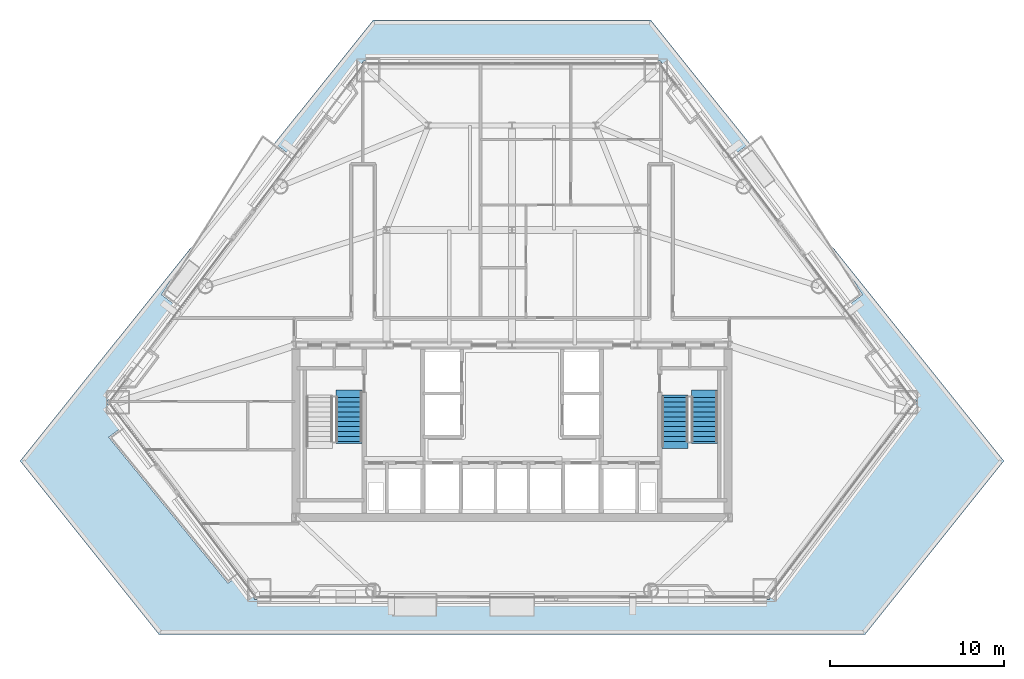
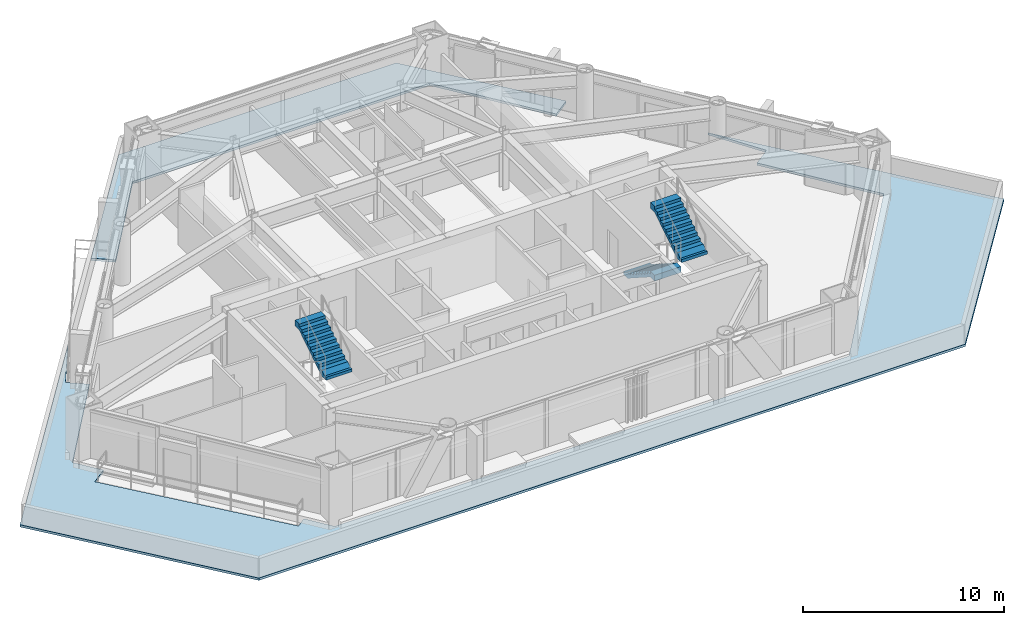
# One storey, part 10 of 13: 3 stair flights, 2 roofs, 2 elements without a shape of their own.
"""IFC4 building model written with IfcOpenShell, lengths in metres."""

import ifcopenshell
import ifcopenshell.guid

model = None  # the IFC model being written
_history = None  # IfcOwnerHistory: only IFC2X3 demands one
_inside = {}  # id of a spatial element -> (the spatial element, [elements in it])
_under = {}  # id of a project, library or spatial element -> (it, [spatial elements below it])
_declared = {}  # id of a project -> (the project, [libraries it declares])
_typed = {}  # id of a type object -> (the type object, [elements of that type])
_made_of = {}  # id of a material, layer set ... -> (it, [elements and type objects made of it])


def new_model(schema):
    """Start an empty IFC model of exactly this schema.

    Asked for "IFC4X3", IfcOpenShell would pick the latest addendum, in which some entities
    have other attributes; the version numbers below select the first issue.
    IFC2X3 requires an IfcOwnerHistory on every rooted entity: one is made here for all.
    """
    global model, _history
    if schema == "IFC4X3":
        model = ifcopenshell.file(schema_version=(4, 3, 0, 0))
    else:
        model = ifcopenshell.file(schema=schema)
    _inside.clear()
    _under.clear()
    _declared.clear()
    _typed.clear()
    _made_of.clear()
    _history = None
    if model.schema == "IFC2X3":
        org = make("IfcOrganization", Name="unknown")
        user = make(
            "IfcPersonAndOrganization",
            ThePerson=make("IfcPerson", FamilyName="unknown"),
            TheOrganization=org,
        )
        app = make(
            "IfcApplication",
            ApplicationDeveloper=org,
            Version="unknown",
            ApplicationFullName="unknown",
            ApplicationIdentifier="unknown",
        )
        _history = make(
            "IfcOwnerHistory",
            OwningUser=user,
            OwningApplication=app,
            ChangeAction="ADDED",
            CreationDate=0,
        )
    return model


def make(cls, **values):
    """One entity of the class cls with the attributes given. An attribute that is None is left unset."""
    return model.create_entity(
        cls, **{name: value for name, value in values.items() if value is not None}
    )


def rooted(cls, **values):
    """An entity with a GlobalId (a new one), such as an element, a storey or a relation."""
    return make(cls, GlobalId=ifcopenshell.guid.new(), OwnerHistory=_history, **values)


def si_unit(unit_type, name, prefix=None):
    """IfcSIUnit, for example si_unit("LENGTHUNIT", "METRE", prefix="MILLI")."""
    return make("IfcSIUnit", UnitType=unit_type, Prefix=prefix, Name=name)


def assignment(units):
    """IfcUnitAssignment: the units of a project."""
    return None if units is None else make("IfcUnitAssignment", Units=units)


def point(xyz):
    """IfcCartesianPoint."""
    return None if xyz is None else make("IfcCartesianPoint", Coordinates=xyz)


def direction(xyz):
    """IfcDirection."""
    return None if xyz is None else make("IfcDirection", DirectionRatios=xyz)


def frame(location, z_axis=None, x_axis=None):
    """IfcAxis2Placement3D, a coordinate frame: its origin and axes. An axis left out is left unset."""
    return make(
        "IfcAxis2Placement3D",
        Location=point(location),
        Axis=direction(z_axis),
        RefDirection=direction(x_axis),
    )


def origin():
    """The frame at (0, 0, 0) with its axes left unset."""
    return frame((0.0, 0.0, 0.0))


def place(relative_to, where):
    """IfcLocalPlacement: puts the frame where relative to a parent placement (None: the world)."""
    return make(
        "IfcLocalPlacement", PlacementRelTo=relative_to, RelativePlacement=where
    )


def context(
    kind, dimensions, precision=None, world=None, true_north=None, identifier=None
):
    """IfcGeometricRepresentationContext, for example the 3D "Model" context."""
    return make(
        "IfcGeometricRepresentationContext",
        ContextIdentifier=identifier,
        ContextType=kind,
        CoordinateSpaceDimension=dimensions,
        Precision=precision,
        WorldCoordinateSystem=world,
        TrueNorth=true_north,
    )


def subcontext(parent, identifier, kind, view, scale=None):
    """IfcGeometricRepresentationSubContext, for example "Body" below "Model"."""
    return make(
        "IfcGeometricRepresentationSubContext",
        ContextIdentifier=identifier,
        ContextType=kind,
        ParentContext=parent,
        TargetScale=scale,
        TargetView=view,
    )


def project(units=None, contexts=None):
    """IfcProject with its units and contexts."""
    return rooted(
        "IfcProject",
        Name="project",
        RepresentationContexts=contexts,
        UnitsInContext=assignment(units),
    )


def spatial(cls, under=None, at=None, **own):
    """A site, building, storey or space (cls), placed at a placement, below another one or the project."""
    s = rooted(cls, ObjectPlacement=at, **own)
    if under is not None:
        _under.setdefault(under.id(), (under, []))[1].append(s)
    return s


def polyline(points):
    """IfcPolyline through the points."""
    return make("IfcPolyline", Points=[point(p) for p in points])


def outline(outer, holes=None, kind="AREA"):
    """IfcArbitraryClosedProfileDef: a profile drawn as a closed curve; with holes, ...WithVoids."""
    if holes is None:
        return make("IfcArbitraryClosedProfileDef", ProfileType=kind, OuterCurve=outer)
    return make(
        "IfcArbitraryProfileDefWithVoids",
        ProfileType=kind,
        OuterCurve=outer,
        InnerCurves=holes,
    )


def extrude(swept, where, along, depth):
    """IfcExtrudedAreaSolid: the profile swept, set in the frame where, extruded along a direction by depth."""
    return make(
        "IfcExtrudedAreaSolid",
        SweptArea=swept,
        Position=where,
        ExtrudedDirection=direction(along),
        Depth=depth,
    )


def shape(context_of_items, identifier, shape_type, items):
    """IfcShapeRepresentation: the items that make up one representation, for example the "Body"."""
    return make(
        "IfcShapeRepresentation",
        ContextOfItems=context_of_items,
        RepresentationIdentifier=identifier,
        RepresentationType=shape_type,
        Items=items,
    )


def material(Name=None, Category=None):
    """IfcMaterial."""
    return make("IfcMaterial", Name=Name, Category=Category)


def layer(
    of_material, thickness, ventilated=None, Name=None, Category=None, Priority=None
):
    """IfcMaterialLayer: one layer of a wall or slab, of a material (None: an air gap)."""
    return make(
        "IfcMaterialLayer",
        Material=of_material,
        LayerThickness=thickness,
        IsVentilated=ventilated,
        Name=Name,
        Category=Category,
        Priority=Priority,
    )


def layer_set(layers, Name=None):
    """IfcMaterialLayerSet."""
    return make("IfcMaterialLayerSet", MaterialLayers=layers, LayerSetName=Name)


def made_of(thing, what):
    """Note that an element or type object is made of a material, layer set ...; save() writes the relation."""
    if what is not None:
        _made_of.setdefault(what.id(), (what, []))[1].append(thing)
    return thing


def type_object(cls, material=None, **own):
    """A type object (cls), such as IfcWallType, which elements share."""
    return made_of(rooted(cls, **own), material)


def element(
    cls,
    number,
    at=None,
    inside=None,
    cuts=None,
    type_object=None,
    material=None,
    context=None,
    identifier="Body",
    shape_type=None,
    held_by="IfcProductDefinitionShape",
    body=None,
    shapes=None,
    **own,
):
    """One element of the class cls, such as IfcWall. Its Tag is "e" and its number.

    at: its placement. inside: the storey or other place that contains it. cuts: it is an
    opening in that element (IfcRelVoidsElement). A single representation is given by context,
    identifier, shape_type and body (its items); several are given by shapes. held_by: the class
    of the entity that holds the representations. save() writes the other relations.
    """
    e = rooted(cls, Tag="e%d" % number, ObjectPlacement=at, **own)
    if body is not None:
        shapes = [shape(context, identifier, shape_type, body)]
    if shapes is not None:
        e.Representation = make(held_by, Representations=shapes)
    if inside is not None:
        _inside.setdefault(inside.id(), (inside, []))[1].append(e)
    if cuts is not None:
        rooted(
            "IfcRelVoidsElement", RelatingBuildingElement=cuts, RelatedOpeningElement=e
        )
    if type_object is not None:
        _typed.setdefault(type_object.id(), (type_object, []))[1].append(e)
    return made_of(e, material)


def aggregate(whole, parts):
    """IfcRelAggregates: a whole, such as a stair, and the parts it consists of."""
    return rooted("IfcRelAggregates", RelatingObject=whole, RelatedObjects=parts)


def save(model, path):
    """Write the relations noted so far, then the file.

    IfcRelAggregates (storeys below a building ...), IfcRelContainedInSpatialStructure (elements
    in a storey), IfcRelDefinesByType, IfcRelAssociatesMaterial and IfcRelDeclares: one each for
    every whole, place, type object, material and project.
    """
    for whole, parts in _under.values():
        aggregate(whole, parts)
    for where, things in _inside.values():
        rooted(
            "IfcRelContainedInSpatialStructure",
            RelatedElements=things,
            RelatingStructure=where,
        )
    for kind, things in _typed.values():
        rooted("IfcRelDefinesByType", RelatedObjects=things, RelatingType=kind)
    for what, things in _made_of.values():
        rooted("IfcRelAssociatesMaterial", RelatedObjects=things, RelatingMaterial=what)
    for by, libraries in _declared.values():
        rooted("IfcRelDeclares", RelatingContext=by, RelatedDefinitions=libraries)
    model.write(path)


model = new_model("IFC4")

# Units and contexts
model_context = context("Model", 3, precision=1e-05, world=origin(), true_north=direction((0.0, 1.0)))
body_context = subcontext(model_context, "Body", "Model", "MODEL_VIEW")
ifc_project = project(units=[si_unit("LENGTHUNIT", "METRE"), si_unit("AREAUNIT", "SQUARE_METRE"), si_unit("VOLUMEUNIT", "CUBIC_METRE"), si_unit("PLANEANGLEUNIT", "RADIAN"), si_unit("MASSUNIT", "GRAM", prefix="KILO")], contexts=[model_context])

# Site, building, storey
site_placement = place(None, origin())
site = spatial("IfcSite", under=ifc_project, at=site_placement, CompositionType="ELEMENT")
building_placement = place(site_placement, origin())
building = spatial("IfcBuilding", under=site, at=building_placement, Name="Talgorran Terracotta Tower", CompositionType="ELEMENT")
storey_placement = place(building_placement, frame((0.0, 0.0, 24.300048828125)))
storey = spatial("IfcBuildingStorey", under=building, at=storey_placement, Name="L05", CompositionType="ELEMENT", Elevation=24.300048828125)

# Stair, stair flight
ifc_material_1 = material(Name="Concrete C40/50", Category="concrete")
stair_type = type_object("IfcStairType", Name="ST_FIRE_SCISSOR", PredefinedType="HALF_TURN_STAIR", material=ifc_material_1)
stair_1_placement = place(storey_placement, origin())
stair_1 = element("IfcStair", 1, at=stair_1_placement, inside=storey, type_object=stair_type, Name="L05 West Protected Fire Stair ST-01", PredefinedType="HALF_TURN_STAIR")
ifc_layer_1 = layer(ifc_material_1, 0.179931640625, Name="STF_RC_1500")
ifc_layer_set_1 = layer_set([ifc_layer_1], Name="Concrete C40/50")
stair_flight_type = type_object("IfcStairFlightType", Name="STF_RC_1500", PredefinedType="STRAIGHT", material=ifc_layer_set_1)
stair_flight_1_placement = place(storey_placement, frame((-9.35009765625, -9.719970703125, 1.800048828125), z_axis=(0.0, 0.0, 1.0), x_axis=(0.0, 1.0, 0.0)))
stair_flight_1 = element("IfcStairFlight", 2, at=stair_flight_1_placement, type_object=stair_flight_type, Name="ST-01 flight 2", NumberOfRisers=10, NumberOfTreads=9, PredefinedType="STRAIGHT", RiserHeight=0.18, TreadLength=0.28, context=body_context, shape_type="SweptSolid", body=[
    extrude(outline(polyline([(-0.139892578125, 0.0), (-0.139892578125, 0.179931640625), (0.0, 0.179931640625), (0.280029296875, 0.360107421875), (0.56005859375, 0.360107421875), (0.56005859375, 0.5400390625), (0.840087890625, 0.5400390625), (0.840087890625, 0.719970703125), (1.1201171875, 0.719970703125), (1.1201171875, 0.89990234375), (1.39990234375, 0.89990234375), (1.39990234375, 1.080078125), (1.679931640625, 1.080078125), (1.679931640625, 1.260009765625), (1.9599609375, 1.260009765625), (1.9599609375, 1.43994140625), (2.239990234375, 1.43994140625), (2.239990234375, 1.6201171875), (2.52001953125, 1.6201171875), (2.52001953125, 1.800048828125), (2.93994140625, 1.800048828125), (2.93994140625, 1.44189453125), (2.52001953125, 1.44189453125), (0.277099609375, 0.0), (-0.139892578125, 0.0)])), frame((0.0, 0.75, 0.0), z_axis=(0.0, -1.0, 0.0), x_axis=(1.0, 0.0, 0.0)), (0.0, 0.0, 1.0), 1.5),
])
aggregate(stair_1, [stair_flight_1])

# Stair, stair flights
stair_2_placement = place(storey_placement, origin())
stair_2 = element("IfcStair", 3, at=stair_2_placement, inside=storey, type_object=stair_type, Name="L05 East Protected Fire Stair ST-02", PredefinedType="HALF_TURN_STAIR")
stair_flight_2_placement = place(storey_placement, frame((9.35009765625, -7.199951171875, 0.0), z_axis=(0.0, 0.0, 1.0), x_axis=(0.0, -1.0, 0.0)))
stair_flight_2 = element("IfcStairFlight", 4, at=stair_flight_2_placement, type_object=stair_flight_type, Name="ST-02 flight 1", NumberOfRisers=10, NumberOfTreads=9, PredefinedType="STRAIGHT", RiserHeight=0.18, TreadLength=0.28, context=body_context, shape_type="SweptSolid", body=[
    extrude(outline(polyline([(-0.139892578125, 0.0), (-0.139892578125, 0.179931640625), (0.0, 0.179931640625), (0.280029296875, 0.360107421875), (0.56005859375, 0.360107421875), (0.56005859375, 0.5400390625), (0.840087890625, 0.5400390625), (0.840087890625, 0.719970703125), (1.1201171875, 0.719970703125), (1.1201171875, 0.89990234375), (1.39990234375, 0.89990234375), (1.39990234375, 1.080078125), (1.679931640625, 1.080078125), (1.679931640625, 1.260009765625), (1.9599609375, 1.260009765625), (1.9599609375, 1.43994140625), (2.239990234375, 1.43994140625), (2.239990234375, 1.6201171875), (2.52001953125, 1.6201171875), (2.52001953125, 1.800048828125), (2.93994140625, 1.800048828125), (2.93994140625, 1.44189453125), (2.52001953125, 1.44189453125), (0.277099609375, 0.0), (-0.139892578125, 0.0)])), frame((0.0, 0.75, 0.0), z_axis=(0.0, -1.0, 0.0), x_axis=(1.0, 0.0, 0.0)), (0.0, 0.0, 1.0), 1.5),
])
stair_flight_3_placement = place(storey_placement, frame((11.050048828125, -9.719970703125, 1.800048828125), z_axis=(0.0, 0.0, 1.0), x_axis=(0.0, 1.0, 0.0)))
stair_flight_3 = element("IfcStairFlight", 5, at=stair_flight_3_placement, type_object=stair_flight_type, Name="ST-02 flight 2", NumberOfRisers=10, NumberOfTreads=9, PredefinedType="STRAIGHT", RiserHeight=0.18, TreadLength=0.28, context=body_context, shape_type="SweptSolid", body=[
    extrude(outline(polyline([(-0.139892578125, 0.0), (-0.139892578125, 0.179931640625), (0.0, 0.179931640625), (0.280029296875, 0.360107421875), (0.56005859375, 0.360107421875), (0.56005859375, 0.5400390625), (0.840087890625, 0.5400390625), (0.840087890625, 0.719970703125), (1.1201171875, 0.719970703125), (1.1201171875, 0.89990234375), (1.39990234375, 0.89990234375), (1.39990234375, 1.080078125), (1.679931640625, 1.080078125), (1.679931640625, 1.260009765625), (1.9599609375, 1.260009765625), (1.9599609375, 1.43994140625), (2.239990234375, 1.43994140625), (2.239990234375, 1.6201171875), (2.52001953125, 1.6201171875), (2.52001953125, 1.800048828125), (2.93994140625, 1.800048828125), (2.93994140625, 1.44189453125), (2.52001953125, 1.44189453125), (0.277099609375, 0.0), (-0.139892578125, 0.0)])), frame((0.0, 0.75, 0.0), z_axis=(0.0, -1.0, 0.0), x_axis=(1.0, 0.0, 0.0)), (0.0, 0.0, 1.0), 1.5),
])
aggregate(stair_2, [stair_flight_2, stair_flight_3])

# Roofs
ifc_material_2 = material(Name="Standing-Seam Terracotta Metal Deck", Category="masonry")
ifc_layer_2 = layer(ifc_material_2, 0.139892578125, Name="RF_CROWN_TERRA")
ifc_layer_set_2 = layer_set([ifc_layer_2], Name="Standing-Seam Terracotta Metal Deck")
roof_type = type_object("IfcRoofType", Name="RF_CROWN_TERRA", PredefinedType="SHED_ROOF", material=ifc_layer_set_2)
roof_1_placement = place(storey_placement, frame((0.0, 0.0, -0.14013671875)))
element("IfcRoof", 6, at=roof_1_placement, inside=storey, type_object=roof_type, Name="L05 Setback Weathering Roof Apron 1", PredefinedType="FLAT_ROOF", context=body_context, shape_type="SweptSolid", body=[
    extrude(outline(polyline([(8.5224609375, 12.09033203125), (-8.5224609375, 12.09033203125), (-12.638916015625, 6.627685546875), (-13.63330078125, 7.377197265625), (-7.964111328125, 14.4560546875), (7.964111328125, 14.4560546875), (13.63330078125, 7.377197265625), (12.638916015625, 6.627685546875), (8.5224609375, 12.09033203125)])), origin(), (0.0, 0.0, 1.0), 0.14013671875),
])
roof_2_placement = place(storey_placement, frame((0.0, 0.0, -0.14013671875)))
element("IfcRoof", 7, at=roof_2_placement, inside=storey, type_object=roof_type, Name="L05 Setback Weathering Roof Apron 2", PredefinedType="FLAT_ROOF", context=body_context, shape_type="SweptSolid", body=[
    extrude(outline(polyline([(-22.27001953125, -8.82763671875), (-23.147705078125, -9.489013671875), (-16.301513671875, -17.86865234375), (-15.7626953125, -17.462890625), (-14.755126953125, -18.800048828125), (14.755126953125, -18.800048828125), (23.277587890625, -7.490478515625), (19.1611328125, -2.027587890625), (20.11181640625, -1.311279296875), (18.361083984375, 1.473876953125), (28.236083984375, -10.85595703125), (20.27197265625, -20.800048828125), (-20.27197265625, -20.800048828125), (-28.236083984375, -10.85595703125), (-18.361083984375, 1.473876953125), (-20.11181640625, -1.311279296875), (-19.1611328125, -2.027587890625), (-23.277587890625, -7.490478515625), (-22.27001953125, -8.82763671875)])), origin(), (0.0, 0.0, 1.0), 0.14013671875),
])

save(model, "model.ifc")
